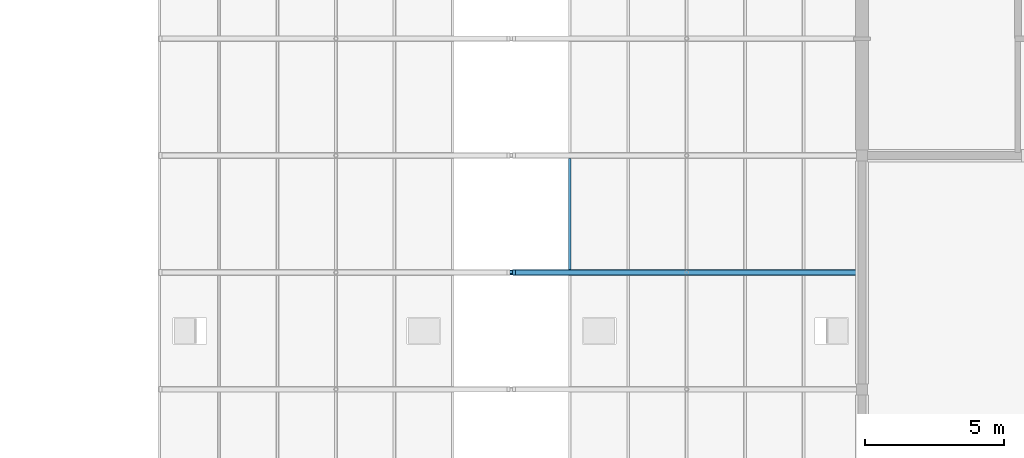
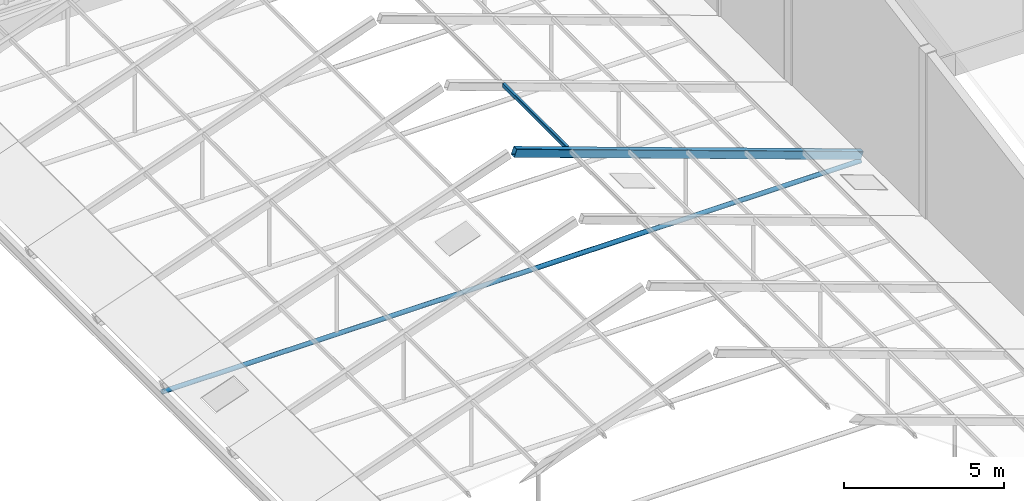
# One storey, part 58 of 116: 3 members.
"""IFC4 building model written with IfcOpenShell, lengths in metres."""

from ifc_helpers import new_model, si_unit, direction, frame, origin, origin_2d, place, context, subcontext, project, spatial, hollow_rectangle, hollow_circle, extrude, material, material_profile, profile_set, type_object, element, save


model = new_model("IFC4")

# Units and contexts
model_context = context("Model", 3, precision=1e-05, world=origin(), true_north=direction((0.0, 1.0)))
body_context = subcontext(model_context, "Body", "Model", "MODEL_VIEW")
ifc_project = project(units=[si_unit("LENGTHUNIT", "METRE"), si_unit("AREAUNIT", "SQUARE_METRE"), si_unit("VOLUMEUNIT", "CUBIC_METRE"), si_unit("PLANEANGLEUNIT", "RADIAN"), si_unit("MASSUNIT", "GRAM", prefix="KILO")], contexts=[model_context])

# Site, building, storey
site_placement = place(None, origin())
site = spatial("IfcSite", under=ifc_project, at=site_placement, CompositionType="ELEMENT")
building_placement = place(site_placement, origin())
building = spatial("IfcBuilding", under=site, at=building_placement, Name="Fescue Hill Polytechnic", CompositionType="ELEMENT")
storey_placement = place(building_placement, frame((0.0, 0.0, 13.5)))
storey = spatial("IfcBuildingStorey", under=building, at=storey_placement, Name="L03", CompositionType="ELEMENT", Elevation=13.5)

# Members
ifc_material = material(Name="Steel 350W (350 MPa)", Category="steel")
ifc_material_profile_1 = material_profile(ifc_material, hollow_rectangle(XDim=0.1015625, YDim=0.15234375, WallThickness=0.00634765625, InnerFilletRadius=0.00634765625, OuterFilletRadius=0.0126953125, at=origin_2d()), Name="Winter garden glazing purlin HSS 152x102x6.4")
ifc_profile_set_1 = profile_set([ifc_material_profile_1], Name="Steel 350W (350 MPa)")
member_type_1 = type_object("IfcMemberType", Name="Winter garden glazing purlin HSS 152x102x6.4", PredefinedType="PURLIN", material=ifc_profile_set_1)
member_1_placement = place(storey_placement, frame((107.100341796875, 88.301513671875, 4.414306640625), z_axis=(0.0, 1.0, 0.0), x_axis=(-1.0, 0.0, 0.0)))
element("IfcMember", 1, at=member_1_placement, inside=storey, type_object=member_type_1, Name="Winter garden glazing purlin E5 bay 10", PredefinedType="PURLIN", context=body_context, shape_type="SweptSolid", body=[
    extrude(hollow_rectangle(XDim=0.1015625, YDim=0.15234375, WallThickness=0.00634765625, InnerFilletRadius=0.00634765625, OuterFilletRadius=0.0126953125, at=origin_2d()), origin(), (0.0, 0.0, 1.0), 3.996826171875),
])
ifc_material_profile_2 = material_profile(ifc_material, hollow_rectangle(XDim=0.203125, YDim=0.3046875, WallThickness=0.009521484375, InnerFilletRadius=0.009521484375, OuterFilletRadius=0.01904296875, at=origin_2d()), Name="Winter garden rafter HSS 305x203x9.5")
ifc_profile_set_2 = profile_set([ifc_material_profile_2], Name="Steel 350W (350 MPa)")
member_type_2 = type_object("IfcMemberType", Name="Winter garden rafter HSS 305x203x9.5", PredefinedType="RAFTER", material=ifc_profile_set_2)
member_2_placement = place(storey_placement, frame((117.60009765625, 88.199951171875, 0.578857421875), z_axis=(-0.941740247025, 0.0, 0.336341057756), x_axis=(0.0, -1.0, 0.0)))
element("IfcMember", 2, at=member_2_placement, inside=storey, type_object=member_type_2, Name="Winter garden rafter E10", PredefinedType="RAFTER", context=body_context, shape_type="SweptSolid", body=[
    extrude(hollow_rectangle(XDim=0.203125, YDim=0.3046875, WallThickness=0.009521484375, InnerFilletRadius=0.009521484375, OuterFilletRadius=0.01904296875, at=origin_2d()), origin(), (0.0, 0.0, 1.0), 13.273193359375),
])
ifc_material_profile_3 = material_profile(ifc_material, hollow_circle(Radius=0.084228515625, WallThickness=0.009521484375, at=origin_2d()), Name="Winter garden tie CHS 168x9.5")
ifc_profile_set_3 = profile_set([ifc_material_profile_3], Name="Steel 350W (350 MPa)")
member_type_3 = type_object("IfcMemberType", Name="Winter garden tie CHS 168x9.5", PredefinedType="STRUT", material=ifc_profile_set_3)
member_3_placement = place(storey_placement, frame((92.39990234375, 88.199951171875, 0.332763671875), z_axis=(1.0, 0.0, 0.0), x_axis=(0.0, 1.0, 0.0)))
element("IfcMember", 3, at=member_3_placement, inside=storey, type_object=member_type_3, Name="Winter garden tie 10", PredefinedType="STRUT", context=body_context, shape_type="SweptSolid", body=[
    extrude(hollow_circle(Radius=0.084228515625, WallThickness=0.009521484375, at=origin_2d()), origin(), (0.0, 0.0, 1.0), 25.2001953125),
])

save(model, "model.ifc")
